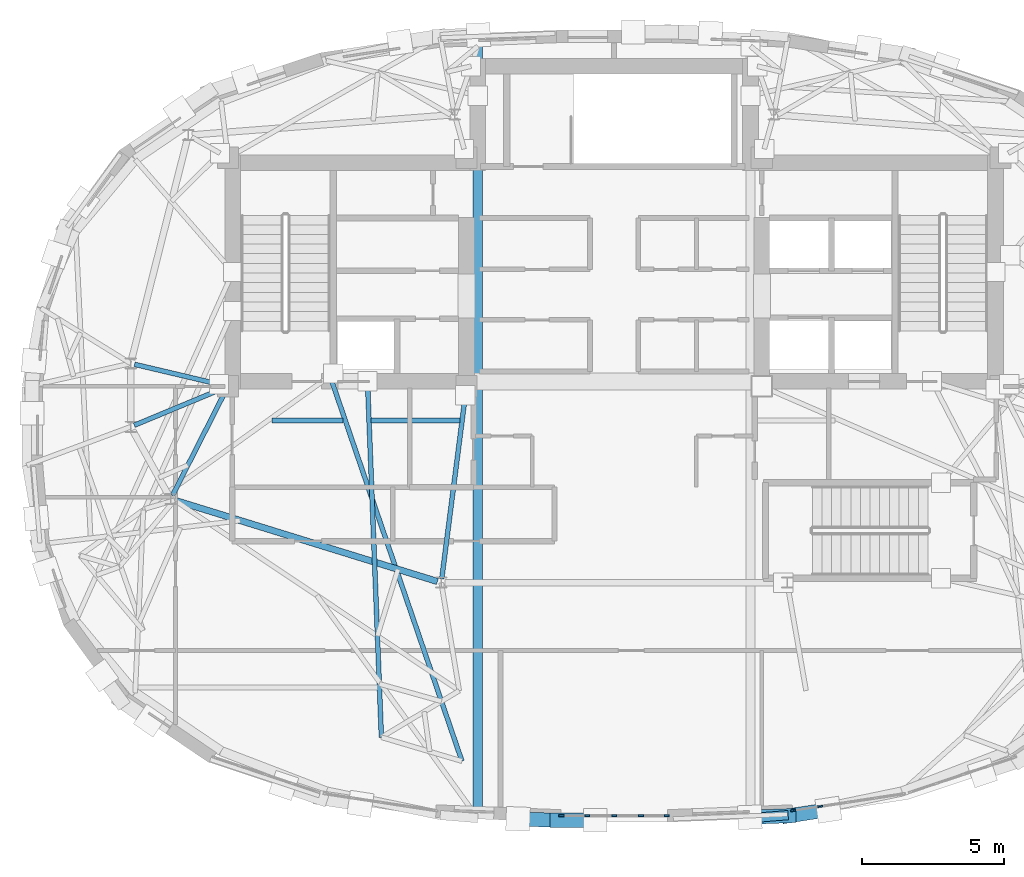
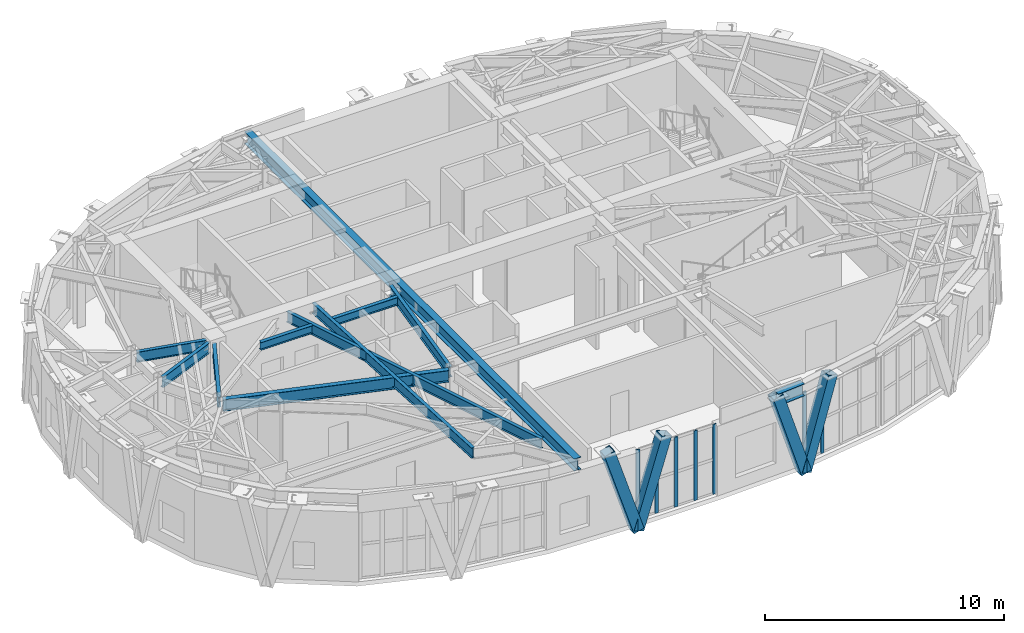
# One storey, part 3 of 16: 11 beams, 11 members, 2 elements without a shape of their own.
"""IFC4 building model written with IfcOpenShell, lengths in metres."""

from ifc_helpers import new_model, si_unit, direction, frame, origin, origin_2d, place, context, subcontext, project, spatial, rectangle, hollow_rectangle, i_section, extrude, material, layer, layer_set, material_profile, profile_set, type_object, element, aggregate, save


model = new_model("IFC4")

# Units and contexts
model_context = context("Model", 3, precision=1e-05, world=origin(), true_north=direction((0.0, 1.0)))
body_context = subcontext(model_context, "Body", "Model", "MODEL_VIEW")
ifc_project = project(units=[si_unit("LENGTHUNIT", "METRE"), si_unit("AREAUNIT", "SQUARE_METRE"), si_unit("VOLUMEUNIT", "CUBIC_METRE"), si_unit("PLANEANGLEUNIT", "RADIAN"), si_unit("MASSUNIT", "GRAM", prefix="KILO")], contexts=[model_context])

# Site, building, storey
site_placement = place(None, origin())
site = spatial("IfcSite", under=ifc_project, at=site_placement, CompositionType="ELEMENT")
building_placement = place(site_placement, origin())
building = spatial("IfcBuilding", under=site, at=building_placement, Name="Keldmark Tower", CompositionType="ELEMENT")
storey_placement = place(building_placement, frame((0.0, 0.0, 264.800048828125)))
storey = spatial("IfcBuildingStorey", under=building, at=storey_placement, Name="L75", CompositionType="ELEMENT", Elevation=264.800048828125)

# Beams
ifc_material_1 = material(Name="Steel ASTM A992 Grade 50", Category="steel")
ifc_material_profile_1 = material_profile(ifc_material_1, i_section(OverallWidth=0.177978515625, OverallDepth=0.403076171875, WebThickness=0.007568359375, FlangeThickness=0.010986328125, at=origin_2d()), Name="W16X36")
ifc_profile_set_1 = profile_set([ifc_material_profile_1], Name="Steel ASTM A992 Grade 50")
beam_type_1 = type_object("IfcBeamType", Name="Composite Floor Joist W16X36", PredefinedType="JOIST", material=ifc_profile_set_1)
beam_1_placement = place(storey_placement, frame((-12.054443359375, 0.199951171875, 3.99853515625), z_axis=(1.0, 0.0, 0.0), x_axis=(0.0, 1.0, 0.0)))
element("IfcBeam", 1, at=beam_1_placement, inside=storey, type_object=beam_type_1, Name="L75 Composite Floor Joist J04", PredefinedType="JOIST", context=body_context, shape_type="SweptSolid", body=[
    extrude(i_section(OverallWidth=0.177978515625, OverallDepth=0.403076171875, WebThickness=0.007568359375, FlangeThickness=0.010986328125, at=origin_2d()), origin(), (0.0, 0.0, 1.0), 2.50634765625),
])
beam_2_placement = place(storey_placement, frame((-8.556884765625, 0.199951171875, 3.99853515625), z_axis=(1.0, 0.0, 0.0), x_axis=(0.0, 1.0, 0.0)))
element("IfcBeam", 2, at=beam_2_placement, inside=storey, type_object=beam_type_1, Name="L75 Composite Floor Joist J05", PredefinedType="JOIST", context=body_context, shape_type="SweptSolid", body=[
    extrude(i_section(OverallWidth=0.177978515625, OverallDepth=0.403076171875, WebThickness=0.007568359375, FlangeThickness=0.010986328125, at=origin_2d()), origin(), (0.0, 0.0, 1.0), 3.126953125),
])

# Curtain wall, members
ifc_material_2 = material(Name="Unitized Thermally Broken Aluminum and Triple Low-E Glazing", Category="aluminium")
ifc_layer = layer(ifc_material_2, 0.219970703125)
ifc_layer_set = layer_set([ifc_layer], Name="Unitized Thermally Broken Aluminum and Triple Low-E Glazing")
curtain_wall_type = type_object("IfcCurtainWallType", Name="Public Observation Lookout Curtain Wall System", PredefinedType="NOTDEFINED", material=ifc_layer_set)
curtain_wall_1_placement = place(storey_placement, origin())
curtain_wall_1 = element("IfcCurtainWall", 3, at=curtain_wall_1_placement, inside=storey, type_object=curtain_wall_type, Name="L75 Public Observation Lookout Curtain Wall System CW-L75-24", PredefinedType="NOTDEFINED")
ifc_material_3 = material(Name="Extruded Aluminum Alloy 6063-T6", Category="aluminium")
ifc_material_profile_2 = material_profile(ifc_material_3, rectangle(XDim=0.06005859375, YDim=0.179931640625, at=origin_2d()), Name="CWM60X180")
ifc_profile_set_2 = profile_set([ifc_material_profile_2], Name="Extruded Aluminum Alloy 6063-T6")
member_type_1 = type_object("IfcMemberType", Name="Curtain Wall Structural Mullion 60x180", PredefinedType="MULLION", material=ifc_profile_set_2)
member_1_placement = place(storey_placement, frame((1.85498046875, -13.718994140625, 0.0), z_axis=(0.0, 0.0, 1.0), x_axis=(0.0, -1.0, 0.0)))
member_1 = element("IfcMember", 4, at=member_1_placement, type_object=member_type_1, Name="CW mullion 1", PredefinedType="MULLION", context=body_context, shape_type="SweptSolid", body=[
    extrude(rectangle(XDim=0.06005859375, YDim=0.179931640625, at=origin_2d()), origin(), (0.0, 0.0, 1.0), 3.56591796875),
])
member_2_placement = place(storey_placement, frame((0.942626953125, -13.718994140625, 0.0), z_axis=(0.0, 0.0, 1.0), x_axis=(0.0, -1.0, 0.0)))
member_2 = element("IfcMember", 5, at=member_2_placement, type_object=member_type_1, Name="CW mullion 2", PredefinedType="MULLION", context=body_context, shape_type="SweptSolid", body=[
    extrude(rectangle(XDim=0.06005859375, YDim=0.179931640625, at=origin_2d()), origin(), (0.0, 0.0, 1.0), 3.56591796875),
])
member_3_placement = place(storey_placement, frame((0.0, -13.718994140625, 0.0), z_axis=(0.0, 0.0, 1.0), x_axis=(0.0, -1.0, 0.0)))
member_3 = element("IfcMember", 6, at=member_3_placement, type_object=member_type_1, Name="CW mullion 3", PredefinedType="MULLION", context=body_context, shape_type="SweptSolid", body=[
    extrude(rectangle(XDim=0.06005859375, YDim=0.179931640625, at=origin_2d()), origin(), (0.0, 0.0, 1.0), 3.56591796875),
])
member_4_placement = place(storey_placement, frame((-0.942626953125, -13.718994140625, 0.0), z_axis=(0.0, 0.0, 1.0), x_axis=(0.0, -1.0, 0.0)))
member_4 = element("IfcMember", 7, at=member_4_placement, type_object=member_type_1, Name="CW mullion 4", PredefinedType="MULLION", context=body_context, shape_type="SweptSolid", body=[
    extrude(rectangle(XDim=0.06005859375, YDim=0.179931640625, at=origin_2d()), origin(), (0.0, 0.0, 1.0), 3.56591796875),
])
member_5_placement = place(storey_placement, frame((-1.85498046875, -13.718994140625, 0.0), z_axis=(0.0, 0.0, 1.0), x_axis=(0.0, -1.0, 0.0)))
member_5 = element("IfcMember", 8, at=member_5_placement, type_object=member_type_1, Name="CW mullion 5", PredefinedType="MULLION", context=body_context, shape_type="SweptSolid", body=[
    extrude(rectangle(XDim=0.06005859375, YDim=0.179931640625, at=origin_2d()), origin(), (0.0, 0.0, 1.0), 3.56591796875),
])
aggregate(curtain_wall_1, [member_1, member_2, member_3, member_4, member_5])

curtain_wall_2_placement = place(storey_placement, origin())
curtain_wall_2 = element("IfcCurtainWall", 9, at=curtain_wall_2_placement, inside=storey, type_object=curtain_wall_type, Name="L75 Public Observation Lookout Curtain Wall System CW-L75-26", PredefinedType="NOTDEFINED")
member_6_placement = place(storey_placement, frame((7.250732421875, -13.391845703125, 0.0), z_axis=(0.0, 0.0, 1.0), x_axis=(0.150337469177, -0.988634738092, 0.0)))
member_6 = element("IfcMember", 10, at=member_6_placement, type_object=member_type_1, Name="CW mullion 4", PredefinedType="MULLION", context=body_context, shape_type="SweptSolid", body=[
    extrude(rectangle(XDim=0.06005859375, YDim=0.179931640625, at=origin_2d()), origin(), (0.0, 0.0, 1.0), 3.56591796875),
])
member_7_placement = place(storey_placement, frame((6.300537109375, -13.5361328125, 0.0), z_axis=(0.0, 0.0, 1.0), x_axis=(0.150337469177, -0.988634738092, 0.0)))
member_7 = element("IfcMember", 11, at=member_7_placement, type_object=member_type_1, Name="CW mullion 5", PredefinedType="MULLION", context=body_context, shape_type="SweptSolid", body=[
    extrude(rectangle(XDim=0.06005859375, YDim=0.179931640625, at=origin_2d()), origin(), (0.0, 0.0, 1.0), 3.56591796875),
])
aggregate(curtain_wall_2, [member_6, member_7])

# Members
ifc_material_4 = material(Name="Steel ASTM A572 Grade 50", Category="steel")
ifc_material_profile_3 = material_profile(ifc_material_4, hollow_rectangle(XDim=0.5, YDim=0.5, WallThickness=0.030029296875, at=origin_2d()), Name="BOX500X500X30")
ifc_profile_set_3 = profile_set([ifc_material_profile_3], Name="Steel ASTM A572 Grade 50")
member_type_2 = type_object("IfcMemberType", Name="Diagrid Upper Brace BOX500X500X30", PredefinedType="BRACE", material=ifc_profile_set_3)
member_8_placement = place(storey_placement, frame((-2.0078125, -13.881591796875, -0.300048828125), z_axis=(-0.300518283394, 0.011589065236, 0.953705643746), x_axis=(-0.038534951554, -0.999257252918, 0.0)))
element("IfcMember", 12, at=member_8_placement, inside=storey, type_object=member_type_2, Name="L75 Perimeter Diagrid Brace 12A", PredefinedType="BRACE", context=body_context, shape_type="SweptSolid", body=[
    extrude(hollow_rectangle(XDim=0.5, YDim=0.5, WallThickness=0.030029296875, at=origin_2d()), origin(), (0.0, 0.0, 1.0), 4.592529296875),
])
member_9_placement = place(storey_placement, frame((-2.019287109375, -13.87939453125, -0.300048828125), z_axis=(0.294572421732, 0.0, 0.955629158385), x_axis=(0.0, 1.0, 0.0)))
element("IfcMember", 13, at=member_9_placement, inside=storey, type_object=member_type_2, Name="L75 Perimeter Diagrid Brace 12B", PredefinedType="BRACE", context=body_context, shape_type="SweptSolid", body=[
    extrude(hollow_rectangle(XDim=0.5, YDim=0.5, WallThickness=0.030029296875, at=origin_2d()), origin(), (0.0, 0.0, 1.0), 4.583251953125),
])
member_10_placement = place(storey_placement, frame((6.159912109375, -13.719482421875, -0.300048828125), z_axis=(-0.300566642063, -0.01158888008, 0.953690406546), x_axis=(0.038528146152, -0.999257515335, 0.0)))
element("IfcMember", 14, at=member_10_placement, inside=storey, type_object=member_type_2, Name="L75 Perimeter Diagrid Brace 13A", PredefinedType="BRACE", context=body_context, shape_type="SweptSolid", body=[
    extrude(hollow_rectangle(XDim=0.5, YDim=0.5, WallThickness=0.030029296875, at=origin_2d()), origin(), (0.0, 0.0, 1.0), 4.592529296875),
])
member_11_placement = place(storey_placement, frame((6.148193359375, -13.7216796875, -0.300048828125), z_axis=(0.30388320985, 0.046147389173, 0.951590990523), x_axis=(-0.150137657308, 0.988665101972, 0.0)))
element("IfcMember", 15, at=member_11_placement, inside=storey, type_object=member_type_2, Name="L75 Perimeter Diagrid Brace 13B", PredefinedType="BRACE", context=body_context, shape_type="SweptSolid", body=[
    extrude(hollow_rectangle(XDim=0.5, YDim=0.5, WallThickness=0.030029296875, at=origin_2d()), origin(), (0.0, 0.0, 1.0), 4.602783203125),
])

# Beams
ifc_material_5 = material(Name="Steel ASTM A992 Grade 50", Category="steel")
ifc_material_profile_4 = material_profile(ifc_material_5, i_section(OverallWidth=0.22802734375, OverallDepth=0.60302734375, WebThickness=0.010498046875, FlangeThickness=0.014892578125, at=origin_2d()), Name="W24X68")
ifc_profile_set_4 = profile_set([ifc_material_profile_4], Name="Steel ASTM A992 Grade 50")
beam_type_2 = type_object("IfcBeamType", Name="Primary Floor Girder W24X68", PredefinedType="BEAM", material=ifc_profile_set_4)
beam_3_placement = place(storey_placement, frame((-15.482421875, -2.60888671875, 3.8984375), z_axis=(0.955383255089, -0.295368982622, 0.0), x_axis=(0.295368982622, 0.955383255089, 0.0)))
element("IfcBeam", 16, at=beam_3_placement, inside=storey, type_object=beam_type_2, Name="L75 Floor Ring Girder FG-R08", PredefinedType="BEAM", context=body_context, shape_type="SweptSolid", body=[
    extrude(i_section(OverallWidth=0.22802734375, OverallDepth=0.60302734375, WebThickness=0.010498046875, FlangeThickness=0.014892578125, at=origin_2d()), origin(), (0.0, 0.0, 1.0), 9.69140625),
])
ifc_material_6 = material(Name="Steel ASTM A992 Grade 50", Category="steel")
ifc_material_profile_5 = material_profile(ifc_material_6, i_section(OverallWidth=0.166015625, OverallDepth=0.529052734375, WebThickness=0.009765625, FlangeThickness=0.013671875, at=origin_2d()), Name="W21X50")
ifc_profile_set_5 = profile_set([ifc_material_profile_5], Name="Steel ASTM A992 Grade 50")
beam_type_3 = type_object("IfcBeamType", Name="Radial Tie Girder W21X50", PredefinedType="BEAM", material=ifc_profile_set_5)
beam_4_placement = place(storey_placement, frame((-16.889404296875, 2.17578125, 3.935546875), z_axis=(0.97329039005, -0.229577474147, 0.0), x_axis=(0.229577474147, 0.97329039005, 0.0)))
element("IfcBeam", 17, at=beam_4_placement, inside=storey, type_object=beam_type_3, Name="L75 Floor Radial Girder FG-C06", PredefinedType="BEAM", context=body_context, shape_type="SweptSolid", body=[
    extrude(i_section(OverallWidth=0.166015625, OverallDepth=0.529052734375, WebThickness=0.009765625, FlangeThickness=0.013671875, at=origin_2d()), origin(), (0.0, 0.0, 1.0), 3.0595703125),
])
beam_5_placement = place(storey_placement, frame((-16.896240234375, 0.02978515625, 3.935546875), z_axis=(0.923403331902, 0.383831065226, 0.0), x_axis=(-0.383831065226, 0.923403331902, 0.0)))
element("IfcBeam", 18, at=beam_5_placement, inside=storey, type_object=beam_type_3, Name="L75 Floor Radial Girder FG-C07", PredefinedType="BEAM", context=body_context, shape_type="SweptSolid", body=[
    extrude(i_section(OverallWidth=0.166015625, OverallDepth=0.529052734375, WebThickness=0.009765625, FlangeThickness=0.013671875, at=origin_2d()), origin(), (0.0, 0.0, 1.0), 3.249755859375),
])
beam_6_placement = place(storey_placement, frame((-15.552734375, -2.442626953125, 3.935546875), z_axis=(0.453004410574, 0.89150827478, 0.0), x_axis=(-0.89150827478, 0.453004410574, 0.0)))
element("IfcBeam", 19, at=beam_6_placement, inside=storey, type_object=beam_type_3, Name="L75 Floor Radial Girder FG-C08", PredefinedType="BEAM", context=body_context, shape_type="SweptSolid", body=[
    extrude(i_section(OverallWidth=0.166015625, OverallDepth=0.529052734375, WebThickness=0.009765625, FlangeThickness=0.013671875, at=origin_2d()), origin(), (0.0, 0.0, 1.0), 3.990234375),
])
beam_7_placement = place(storey_placement, frame((-6.071533203125, -5.3740234375, 3.935546875), z_axis=(0.127625044513, 0.991822488157, 0.0), x_axis=(-0.991822488157, 0.127625044513, 0.0)))
element("IfcBeam", 20, at=beam_7_placement, inside=storey, type_object=beam_type_3, Name="L75 Floor Radial Girder FG-C09", PredefinedType="BEAM", context=body_context, shape_type="SweptSolid", body=[
    extrude(i_section(OverallWidth=0.166015625, OverallDepth=0.529052734375, WebThickness=0.009765625, FlangeThickness=0.013671875, at=origin_2d()), origin(), (0.0, 0.0, 1.0), 6.509765625),
])
beam_8_placement = place(storey_placement, frame((-8.685791015625, 1.574951171875, 3.935546875), z_axis=(0.038978208637, -0.999240060872, 0.0), x_axis=(0.999240060872, 0.038978208637, 0.0)))
element("IfcBeam", 21, at=beam_8_placement, inside=storey, type_object=beam_type_3, Name="L75 Crown Step Radial Girder CRT-W02RN1", PredefinedType="BEAM", context=body_context, shape_type="SweptSolid", body=[
    extrude(i_section(OverallWidth=0.166015625, OverallDepth=0.529052734375, WebThickness=0.009765625, FlangeThickness=0.013671875, at=origin_2d()), origin(), (0.0, 0.0, 1.0), 12.53955078125),
])
beam_9_placement = place(storey_placement, frame((-9.939208984375, 1.574951171875, 3.935546875), z_axis=(0.323974549961, -0.946065796326, 0.0), x_axis=(0.946065796326, 0.323974549961, 0.0)))
element("IfcBeam", 22, at=beam_9_placement, inside=storey, type_object=beam_type_3, Name="L75 Crown Step Radial Girder CRT-W16RN1", PredefinedType="BEAM", context=body_context, shape_type="SweptSolid", body=[
    extrude(i_section(OverallWidth=0.166015625, OverallDepth=0.529052734375, WebThickness=0.009765625, FlangeThickness=0.013671875, at=origin_2d()), origin(), (0.0, 0.0, 1.0), 14.134033203125),
])
ifc_material_7 = material(Name="Steel ASTM A992 Grade 50", Category="steel")
ifc_material_profile_6 = material_profile(ifc_material_7, i_section(OverallWidth=0.326904296875, OverallDepth=0.6220703125, WebThickness=0.015380859375, FlangeThickness=0.0244140625, at=origin_2d()), Name="W24X131")
ifc_profile_set_6 = profile_set([ifc_material_profile_6], Name="Steel ASTM A992 Grade 50")
beam_type_4 = type_object("IfcBeamType", Name="Spandrel Ring Beam W24X131", PredefinedType="SPANDREL", material=ifc_profile_set_6)
beam_10_placement = place(storey_placement, frame((6.12451171875, -13.69677734375, 3.888916015625), z_axis=(-0.996682487154, -0.081388081439, 0.0), x_axis=(0.081388081439, -0.996682487154, 0.0)))
element("IfcBeam", 23, at=beam_10_placement, inside=storey, type_object=beam_type_4, Name="L75 Crown Spandrel Ring Beam CRB-E14", PredefinedType="SPANDREL", context=body_context, shape_type="SweptSolid", body=[
    extrude(i_section(OverallWidth=0.326904296875, OverallDepth=0.6220703125, WebThickness=0.015380859375, FlangeThickness=0.0244140625, at=origin_2d()), origin(), (0.0, 0.0, 1.0), 1.328857421875),
])
beam_11_placement = place(storey_placement, frame((-4.800048828125, 13.804931640625, 3.888916015625), z_axis=(0.0, -1.0, 0.0), x_axis=(1.0, 0.0, 0.0)))
element("IfcBeam", 24, at=beam_11_placement, inside=storey, type_object=beam_type_4, Name="L75 Crown Spandrel Ring Beam CRB-W15", PredefinedType="SPANDREL", context=body_context, shape_type="SweptSolid", body=[
    extrude(i_section(OverallWidth=0.326904296875, OverallDepth=0.6220703125, WebThickness=0.015380859375, FlangeThickness=0.0244140625, at=origin_2d()), origin(), (0.0, 0.0, 1.0), 27.60986328125),
])

save(model, "model.ifc")
